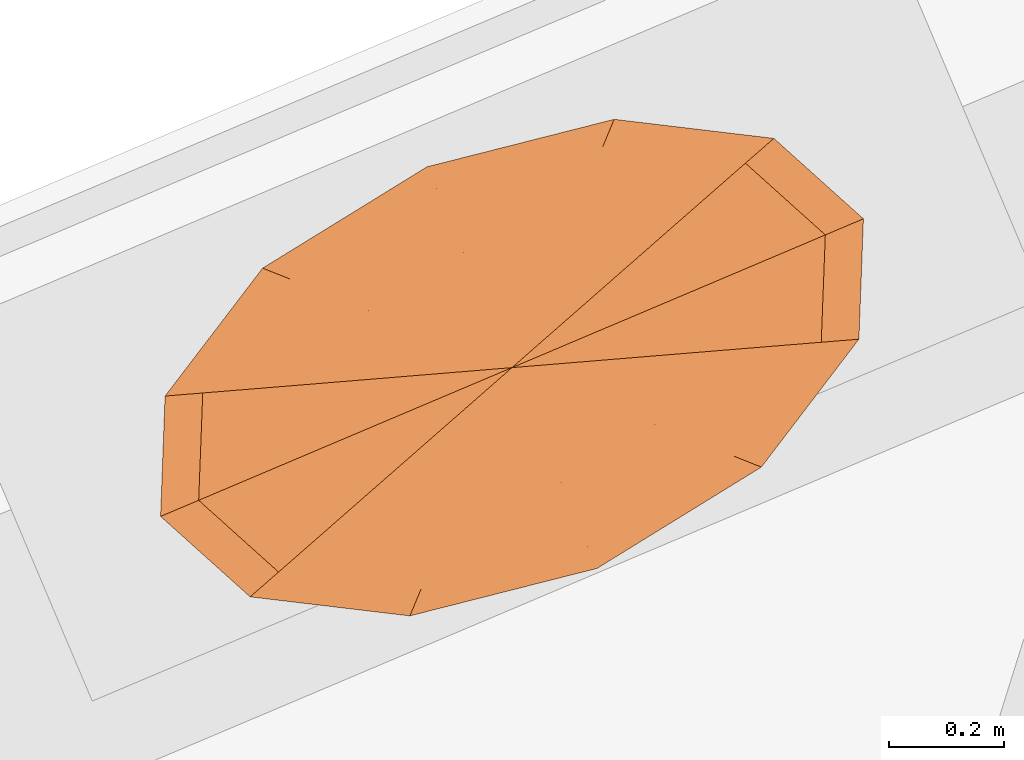
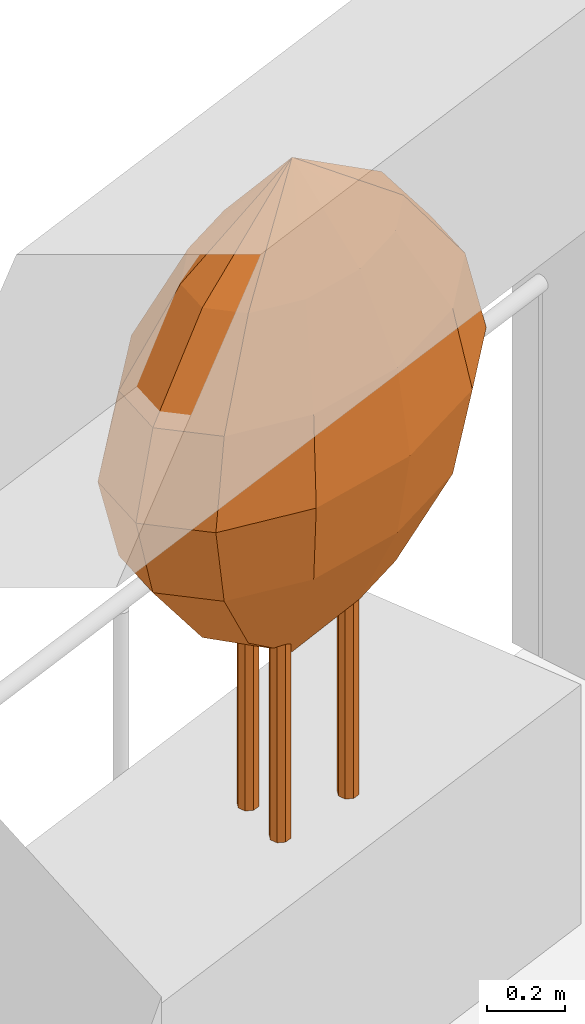
# One storey, part 12 of 12: 1 geographic element.
"""IFC4 building model written with IfcOpenShell, lengths in metres."""

from ifc_helpers import new_model, si_unit, direction, frame, origin, place, context, subcontext, project, spatial, faceted_brep, material, constituent, constituent_set, type_object, element, save


model = new_model("IFC4")

# Units and contexts
model_context = context("Model", 3, precision=1e-05, world=origin(), true_north=direction((0.0, 1.0)))
body_context = subcontext(model_context, "Body", "Model", "MODEL_VIEW")
ifc_project = project(units=[si_unit("LENGTHUNIT", "METRE"), si_unit("AREAUNIT", "SQUARE_METRE"), si_unit("VOLUMEUNIT", "CUBIC_METRE"), si_unit("PLANEANGLEUNIT", "RADIAN"), si_unit("MASSUNIT", "GRAM", prefix="KILO")], contexts=[model_context])

# Site, building, storey
site_placement = place(None, origin())
site = spatial("IfcSite", under=ifc_project, at=site_placement, CompositionType="ELEMENT")
building_placement = place(site_placement, origin())
building = spatial("IfcBuilding", under=site, at=building_placement, Name="Taillehof Tower", CompositionType="ELEMENT")
storey_placement = place(building_placement, frame((0.0, 0.0, 118.60009765625)))
storey = spatial("IfcBuildingStorey", under=building, at=storey_placement, Name="L33", CompositionType="ELEMENT", Elevation=118.60009765625)

# Geographic element
ifc_material_1 = material(Name="Tree bark", Category="timber")
ifc_constituent_1 = constituent(ifc_material_1, Name="Trunk", Category="timber")
ifc_material_2 = material(Name="Tree foliage")
ifc_constituent_2 = constituent(ifc_material_2, Name="Crown")
ifc_constituent_set = constituent_set(constituents=[ifc_constituent_1, ifc_constituent_2], Name="Tree TR3 Multi-stem serviceberry")
geographic_element_type = type_object("IfcGeographicElementType", Name="Tree TR3 Multi-stem serviceberry", PredefinedType="USERDEFINED", material=ifc_constituent_set)
geographic_element_placement = place(storey_placement, frame((-10.2216796875, 20.87890625, 0.75)))
element("IfcGeographicElement", 1, at=geographic_element_placement, inside=storey, type_object=geographic_element_type, Name="Tree TR3 Multi-stem serviceberry", ObjectType="TREE", PredefinedType="USERDEFINED", context=body_context, shape_type="Brep", body=[
    faceted_brep([(0.195068359375, 0.0, 0.0), (0.186767578125, 0.0205078125, 0.0), (0.186767578125, 0.0205078125, 1.04248046875), (0.195068359375, 0.0, 1.04248046875), (0.166259765625, 0.02880859375, 0.0), (0.166259765625, 0.02880859375, 1.04248046875), (0.145751953125, 0.0205078125, 0.0), (0.145751953125, 0.0205078125, 1.04248046875), (0.137451171875, 0.0, 0.0), (0.137451171875, 0.0, 1.04248046875), (0.145751953125, -0.0205078125, 0.0), (0.145751953125, -0.0205078125, 1.04248046875), (0.166259765625, -0.02880859375, 0.0), (0.166259765625, -0.02880859375, 1.04248046875), (0.186767578125, -0.0205078125, 0.0), (0.186767578125, -0.0205078125, 1.04248046875)], [[[0, 1, 2, 3]], [[1, 4, 5, 2]], [[4, 6, 7, 5]], [[6, 8, 9, 7]], [[8, 10, 11, 9]], [[10, 12, 13, 11]], [[12, 14, 15, 13]], [[14, 0, 3, 15]], [[14, 12, 10, 8, 6, 4, 1, 0]], [[3, 2, 5, 7, 9, 11, 13, 15]]]),
    faceted_brep([(-0.05419921875, 0.082275390625, 0.0), (-0.062744140625, 0.102783203125, 0.0), (-0.062744140625, 0.102783203125, 1.04248046875), (-0.05419921875, 0.082275390625, 1.04248046875), (-0.0830078125, 0.111083984375, 0.0), (-0.0830078125, 0.111083984375, 1.04248046875), (-0.103515625, 0.102783203125, 0.0), (-0.103515625, 0.102783203125, 1.04248046875), (-0.112060546875, 0.082275390625, 0.0), (-0.112060546875, 0.082275390625, 1.04248046875), (-0.103515625, 0.061767578125, 0.0), (-0.103515625, 0.061767578125, 1.04248046875), (-0.0830078125, 0.053466796875, 0.0), (-0.0830078125, 0.053466796875, 1.04248046875), (-0.062744140625, 0.061767578125, 0.0), (-0.062744140625, 0.061767578125, 1.04248046875)], [[[0, 1, 2, 3]], [[1, 4, 5, 2]], [[4, 6, 7, 5]], [[6, 8, 9, 7]], [[8, 10, 11, 9]], [[10, 12, 13, 11]], [[12, 14, 15, 13]], [[14, 0, 3, 15]], [[14, 12, 10, 8, 6, 4, 1, 0]], [[3, 2, 5, 7, 9, 11, 13, 15]]]),
    faceted_brep([(-0.05419921875, -0.082275390625, 0.0), (-0.062744140625, -0.061767578125, 0.0), (-0.062744140625, -0.061767578125, 1.04248046875), (-0.05419921875, -0.082275390625, 1.04248046875), (-0.0830078125, -0.053466796875, 0.0), (-0.0830078125, -0.053466796875, 1.04248046875), (-0.103515625, -0.061767578125, 0.0), (-0.103515625, -0.061767578125, 1.04248046875), (-0.112060546875, -0.082275390625, 0.0), (-0.112060546875, -0.082275390625, 1.04248046875), (-0.103515625, -0.102783203125, 0.0), (-0.103515625, -0.102783203125, 1.04248046875), (-0.0830078125, -0.111083984375, 0.0), (-0.0830078125, -0.111083984375, 1.04248046875), (-0.062744140625, -0.102783203125, 0.0), (-0.062744140625, -0.102783203125, 1.04248046875)], [[[0, 1, 2, 3]], [[1, 4, 5, 2]], [[4, 6, 7, 5]], [[6, 8, 9, 7]], [[8, 10, 11, 9]], [[10, 12, 13, 11]], [[12, 14, 15, 13]], [[14, 0, 3, 15]], [[14, 12, 10, 8, 6, 4, 1, 0]], [[3, 2, 5, 7, 9, 11, 13, 15]]]),
    faceted_brep([(0.0, 0.0, 0.5), (-0.261962890625, -0.2294921875, 0.75830078125), (-0.351806640625, -0.14892578125, 0.75830078125), (-0.10205078125, -0.24853515625, 0.75830078125), (0.085205078125, -0.200927734375, 0.75830078125), (0.24951171875, -0.099609375, 0.75830078125), (0.34716796875, 0.028564453125, 0.75830078125), (0.351806640625, 0.14892578125, 0.75830078125), (0.261962890625, 0.2294921875, 0.75830078125), (0.10205078125, 0.24853515625, 0.75830078125), (-0.085205078125, 0.200927734375, 0.75830078125), (-0.24951171875, 0.099609375, 0.75830078125), (-0.34716796875, -0.028564453125, 0.75830078125), (-0.40673828125, -0.356201171875, 1.0166015625), (-0.5458984375, -0.231201171875, 1.0166015625), (-0.158447265625, -0.3857421875, 1.0166015625), (0.132080078125, -0.31201171875, 1.0166015625), (0.38720703125, -0.154541015625, 1.0166015625), (0.538818359375, 0.044189453125, 1.0166015625), (0.5458984375, 0.231201171875, 1.0166015625), (0.40673828125, 0.356201171875, 1.0166015625), (0.158447265625, 0.3857421875, 1.0166015625), (-0.132080078125, 0.31201171875, 1.0166015625), (-0.38720703125, 0.154541015625, 1.0166015625), (-0.538818359375, -0.044189453125, 1.0166015625), (-0.456298828125, -0.3994140625, 1.27490234375), (-0.6123046875, -0.25927734375, 1.27490234375), (-0.177978515625, -0.4326171875, 1.27490234375), (0.148193359375, -0.349853515625, 1.27490234375), (0.4345703125, -0.17333984375, 1.27490234375), (0.6044921875, 0.049560546875, 1.27490234375), (0.6123046875, 0.25927734375, 1.27490234375), (0.456298828125, 0.3994140625, 1.27490234375), (0.177978515625, 0.4326171875, 1.27490234375), (-0.148193359375, 0.349853515625, 1.27490234375), (-0.4345703125, 0.17333984375, 1.27490234375), (-0.6044921875, -0.049560546875, 1.27490234375), (-0.40673828125, -0.356201171875, 1.533447265625), (-0.5458984375, -0.231201171875, 1.533447265625), (-0.158447265625, -0.3857421875, 1.533447265625), (0.132080078125, -0.31201171875, 1.533447265625), (0.38720703125, -0.154541015625, 1.533447265625), (0.538818359375, 0.044189453125, 1.533447265625), (0.5458984375, 0.231201171875, 1.533447265625), (0.40673828125, 0.356201171875, 1.533447265625), (0.158447265625, 0.3857421875, 1.533447265625), (-0.132080078125, 0.31201171875, 1.533447265625), (-0.38720703125, 0.154541015625, 1.533447265625), (-0.538818359375, -0.044189453125, 1.533447265625), (-0.261962890625, -0.2294921875, 1.791748046875), (-0.351806640625, -0.14892578125, 1.791748046875), (-0.10205078125, -0.24853515625, 1.791748046875), (0.085205078125, -0.200927734375, 1.791748046875), (0.24951171875, -0.099609375, 1.791748046875), (0.34716796875, 0.028564453125, 1.791748046875), (0.351806640625, 0.14892578125, 1.791748046875), (0.261962890625, 0.2294921875, 1.791748046875), (0.10205078125, 0.24853515625, 1.791748046875), (-0.085205078125, 0.200927734375, 1.791748046875), (-0.24951171875, 0.099609375, 1.791748046875), (-0.34716796875, -0.028564453125, 1.791748046875), (0.0, 0.0, 2.050048828125)], [[[0, 1, 2]], [[0, 3, 1]], [[0, 4, 3]], [[0, 5, 4]], [[0, 6, 5]], [[0, 7, 6]], [[0, 8, 7]], [[0, 9, 8]], [[0, 10, 9]], [[0, 11, 10]], [[0, 12, 11]], [[0, 2, 12]], [[2, 1, 13, 14]], [[1, 3, 15, 13]], [[3, 4, 16, 15]], [[4, 5, 17, 16]], [[5, 6, 18, 17]], [[6, 7, 19, 18]], [[7, 8, 20, 19]], [[8, 9, 21, 20]], [[9, 10, 22, 21]], [[10, 11, 23, 22]], [[11, 12, 24, 23]], [[12, 2, 14, 24]], [[14, 13, 25, 26]], [[13, 15, 27, 25]], [[15, 16, 28, 27]], [[16, 17, 29, 28]], [[17, 18, 30, 29]], [[18, 19, 31, 30]], [[19, 20, 32, 31]], [[20, 21, 33, 32]], [[21, 22, 34, 33]], [[22, 23, 35, 34]], [[23, 24, 36, 35]], [[24, 14, 26, 36]], [[26, 25, 37, 38]], [[25, 27, 39, 37]], [[27, 28, 40, 39]], [[28, 29, 41, 40]], [[29, 30, 42, 41]], [[30, 31, 43, 42]], [[31, 32, 44, 43]], [[32, 33, 45, 44]], [[33, 34, 46, 45]], [[34, 35, 47, 46]], [[35, 36, 48, 47]], [[36, 26, 38, 48]], [[38, 37, 49, 50]], [[37, 39, 51, 49]], [[39, 40, 52, 51]], [[40, 41, 53, 52]], [[41, 42, 54, 53]], [[42, 43, 55, 54]], [[43, 44, 56, 55]], [[44, 45, 57, 56]], [[45, 46, 58, 57]], [[46, 47, 59, 58]], [[47, 48, 60, 59]], [[48, 38, 50, 60]], [[50, 49, 61]], [[49, 51, 61]], [[51, 52, 61]], [[52, 53, 61]], [[53, 54, 61]], [[54, 55, 61]], [[55, 56, 61]], [[56, 57, 61]], [[57, 58, 61]], [[58, 59, 61]], [[59, 60, 61]], [[60, 50, 61]]]),
])

save(model, "model.ifc")
